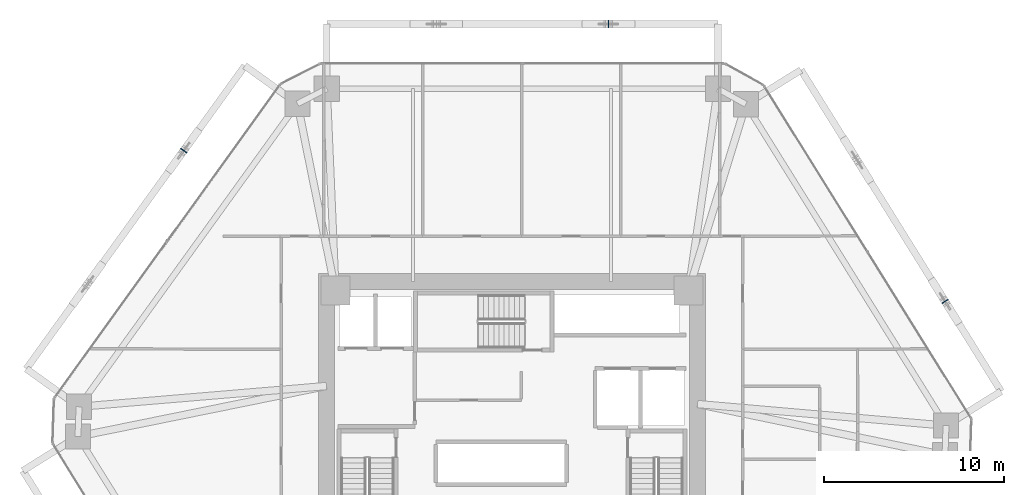
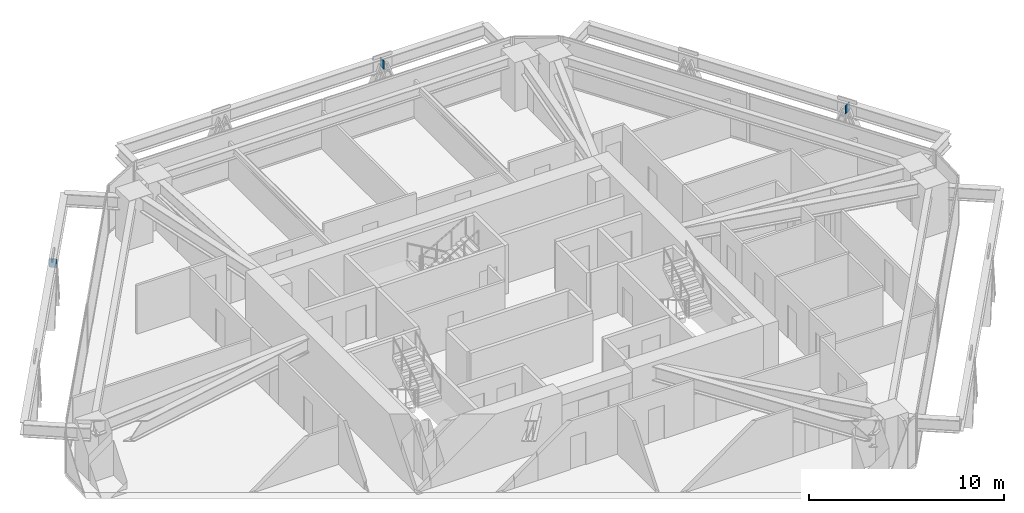
# One storey, part 12 of 17: 3 plates.
"""IFC4 building model written with IfcOpenShell, lengths in metres."""

import ifcopenshell
import ifcopenshell.guid

model = None  # the IFC model being written
_history = None  # IfcOwnerHistory: only IFC2X3 demands one
_inside = {}  # id of a spatial element -> (the spatial element, [elements in it])
_under = {}  # id of a project, library or spatial element -> (it, [spatial elements below it])
_declared = {}  # id of a project -> (the project, [libraries it declares])
_typed = {}  # id of a type object -> (the type object, [elements of that type])
_made_of = {}  # id of a material, layer set ... -> (it, [elements and type objects made of it])


def new_model(schema):
    """Start an empty IFC model of exactly this schema.

    Asked for "IFC4X3", IfcOpenShell would pick the latest addendum, in which some entities
    have other attributes; the version numbers below select the first issue.
    IFC2X3 requires an IfcOwnerHistory on every rooted entity: one is made here for all.
    """
    global model, _history
    if schema == "IFC4X3":
        model = ifcopenshell.file(schema_version=(4, 3, 0, 0))
    else:
        model = ifcopenshell.file(schema=schema)
    _inside.clear()
    _under.clear()
    _declared.clear()
    _typed.clear()
    _made_of.clear()
    _history = None
    if model.schema == "IFC2X3":
        org = make("IfcOrganization", Name="unknown")
        user = make(
            "IfcPersonAndOrganization",
            ThePerson=make("IfcPerson", FamilyName="unknown"),
            TheOrganization=org,
        )
        app = make(
            "IfcApplication",
            ApplicationDeveloper=org,
            Version="unknown",
            ApplicationFullName="unknown",
            ApplicationIdentifier="unknown",
        )
        _history = make(
            "IfcOwnerHistory",
            OwningUser=user,
            OwningApplication=app,
            ChangeAction="ADDED",
            CreationDate=0,
        )
    return model


def make(cls, **values):
    """One entity of the class cls with the attributes given. An attribute that is None is left unset."""
    return model.create_entity(
        cls, **{name: value for name, value in values.items() if value is not None}
    )


def rooted(cls, **values):
    """An entity with a GlobalId (a new one), such as an element, a storey or a relation."""
    return make(cls, GlobalId=ifcopenshell.guid.new(), OwnerHistory=_history, **values)


def si_unit(unit_type, name, prefix=None):
    """IfcSIUnit, for example si_unit("LENGTHUNIT", "METRE", prefix="MILLI")."""
    return make("IfcSIUnit", UnitType=unit_type, Prefix=prefix, Name=name)


def assignment(units):
    """IfcUnitAssignment: the units of a project."""
    return None if units is None else make("IfcUnitAssignment", Units=units)


def point(xyz):
    """IfcCartesianPoint."""
    return None if xyz is None else make("IfcCartesianPoint", Coordinates=xyz)


def direction(xyz):
    """IfcDirection."""
    return None if xyz is None else make("IfcDirection", DirectionRatios=xyz)


def frame(location, z_axis=None, x_axis=None):
    """IfcAxis2Placement3D, a coordinate frame: its origin and axes. An axis left out is left unset."""
    return make(
        "IfcAxis2Placement3D",
        Location=point(location),
        Axis=direction(z_axis),
        RefDirection=direction(x_axis),
    )


def frame_2d(location, x_axis=None):
    """IfcAxis2Placement2D, a coordinate frame in the plane: its origin and x axis."""
    return make(
        "IfcAxis2Placement2D", Location=point(location), RefDirection=direction(x_axis)
    )


def origin():
    """The frame at (0, 0, 0) with its axes left unset."""
    return frame((0.0, 0.0, 0.0))


def origin_2d():
    """The frame at (0, 0) in the plane with its x axis left unset."""
    return frame_2d((0.0, 0.0))


def place(relative_to, where):
    """IfcLocalPlacement: puts the frame where relative to a parent placement (None: the world)."""
    return make(
        "IfcLocalPlacement", PlacementRelTo=relative_to, RelativePlacement=where
    )


def context(
    kind, dimensions, precision=None, world=None, true_north=None, identifier=None
):
    """IfcGeometricRepresentationContext, for example the 3D "Model" context."""
    return make(
        "IfcGeometricRepresentationContext",
        ContextIdentifier=identifier,
        ContextType=kind,
        CoordinateSpaceDimension=dimensions,
        Precision=precision,
        WorldCoordinateSystem=world,
        TrueNorth=true_north,
    )


def subcontext(parent, identifier, kind, view, scale=None):
    """IfcGeometricRepresentationSubContext, for example "Body" below "Model"."""
    return make(
        "IfcGeometricRepresentationSubContext",
        ContextIdentifier=identifier,
        ContextType=kind,
        ParentContext=parent,
        TargetScale=scale,
        TargetView=view,
    )


def project(units=None, contexts=None):
    """IfcProject with its units and contexts."""
    return rooted(
        "IfcProject",
        Name="project",
        RepresentationContexts=contexts,
        UnitsInContext=assignment(units),
    )


def spatial(cls, under=None, at=None, **own):
    """A site, building, storey or space (cls), placed at a placement, below another one or the project."""
    s = rooted(cls, ObjectPlacement=at, **own)
    if under is not None:
        _under.setdefault(under.id(), (under, []))[1].append(s)
    return s


def profile(cls, at=None, kind="AREA", **sizes):
    """A parametric profile (cls). Its sizes go by their IFC names, for example OverallWidth=200.0."""
    return make(cls, ProfileType=kind, Position=at, **sizes)


def rectangle(**sizes):
    """IfcRectangleProfileDef."""
    return profile("IfcRectangleProfileDef", **sizes)


def extrude(swept, where, along, depth):
    """IfcExtrudedAreaSolid: the profile swept, set in the frame where, extruded along a direction by depth."""
    return make(
        "IfcExtrudedAreaSolid",
        SweptArea=swept,
        Position=where,
        ExtrudedDirection=direction(along),
        Depth=depth,
    )


def shape(context_of_items, identifier, shape_type, items):
    """IfcShapeRepresentation: the items that make up one representation, for example the "Body"."""
    return make(
        "IfcShapeRepresentation",
        ContextOfItems=context_of_items,
        RepresentationIdentifier=identifier,
        RepresentationType=shape_type,
        Items=items,
    )


def source(mapping_origin, context_of_items, identifier, shape_type, items):
    """IfcRepresentationMap: a shape defined once, which mapped items show again and again."""
    return make(
        "IfcRepresentationMap",
        MappingOrigin=mapping_origin,
        MappedRepresentation=shape(context_of_items, identifier, shape_type, items),
    )


def transform(
    local_origin,
    x_axis=None,
    y_axis=None,
    z_axis=None,
    scale=None,
    scale2=None,
    scale3=None,
    uniform=True,
):
    """IfcCartesianTransformationOperator3D, or its non-uniform kind. x_axis, y_axis, z_axis: its Axis1, 2, 3."""
    if uniform:
        return make(
            "IfcCartesianTransformationOperator3D",
            Axis1=direction(x_axis),
            Axis2=direction(y_axis),
            LocalOrigin=point(local_origin),
            Scale=scale,
            Axis3=direction(z_axis),
        )
    return make(
        "IfcCartesianTransformationOperator3DnonUniform",
        Axis1=direction(x_axis),
        Axis2=direction(y_axis),
        LocalOrigin=point(local_origin),
        Scale=scale,
        Axis3=direction(z_axis),
        Scale2=scale2,
        Scale3=scale3,
    )


def mapped(mapping_source, mapping_target):
    """IfcMappedItem: shows the shape of a source again, moved by a transform."""
    return make(
        "IfcMappedItem", MappingSource=mapping_source, MappingTarget=mapping_target
    )


def material(Name=None, Category=None):
    """IfcMaterial."""
    return make("IfcMaterial", Name=Name, Category=Category)


def layer(
    of_material, thickness, ventilated=None, Name=None, Category=None, Priority=None
):
    """IfcMaterialLayer: one layer of a wall or slab, of a material (None: an air gap)."""
    return make(
        "IfcMaterialLayer",
        Material=of_material,
        LayerThickness=thickness,
        IsVentilated=ventilated,
        Name=Name,
        Category=Category,
        Priority=Priority,
    )


def layer_set(layers, Name=None):
    """IfcMaterialLayerSet."""
    return make("IfcMaterialLayerSet", MaterialLayers=layers, LayerSetName=Name)


def made_of(thing, what):
    """Note that an element or type object is made of a material, layer set ...; save() writes the relation."""
    if what is not None:
        _made_of.setdefault(what.id(), (what, []))[1].append(thing)
    return thing


def type_object(cls, material=None, **own):
    """A type object (cls), such as IfcWallType, which elements share."""
    return made_of(rooted(cls, **own), material)


def type_shapes(of_type, sources):
    """Give a type object the sources (RepresentationMaps) that its elements show as mapped items."""
    of_type.RepresentationMaps = sources


def element(
    cls,
    number,
    at=None,
    inside=None,
    cuts=None,
    type_object=None,
    material=None,
    context=None,
    identifier="Body",
    shape_type=None,
    held_by="IfcProductDefinitionShape",
    body=None,
    shapes=None,
    **own,
):
    """One element of the class cls, such as IfcWall. Its Tag is "e" and its number.

    at: its placement. inside: the storey or other place that contains it. cuts: it is an
    opening in that element (IfcRelVoidsElement). A single representation is given by context,
    identifier, shape_type and body (its items); several are given by shapes. held_by: the class
    of the entity that holds the representations. save() writes the other relations.
    """
    e = rooted(cls, Tag="e%d" % number, ObjectPlacement=at, **own)
    if body is not None:
        shapes = [shape(context, identifier, shape_type, body)]
    if shapes is not None:
        e.Representation = make(held_by, Representations=shapes)
    if inside is not None:
        _inside.setdefault(inside.id(), (inside, []))[1].append(e)
    if cuts is not None:
        rooted(
            "IfcRelVoidsElement", RelatingBuildingElement=cuts, RelatedOpeningElement=e
        )
    if type_object is not None:
        _typed.setdefault(type_object.id(), (type_object, []))[1].append(e)
    return made_of(e, material)


def aggregate(whole, parts):
    """IfcRelAggregates: a whole, such as a stair, and the parts it consists of."""
    return rooted("IfcRelAggregates", RelatingObject=whole, RelatedObjects=parts)


def save(model, path):
    """Write the relations noted so far, then the file.

    IfcRelAggregates (storeys below a building ...), IfcRelContainedInSpatialStructure (elements
    in a storey), IfcRelDefinesByType, IfcRelAssociatesMaterial and IfcRelDeclares: one each for
    every whole, place, type object, material and project.
    """
    for whole, parts in _under.values():
        aggregate(whole, parts)
    for where, things in _inside.values():
        rooted(
            "IfcRelContainedInSpatialStructure",
            RelatedElements=things,
            RelatingStructure=where,
        )
    for kind, things in _typed.values():
        rooted("IfcRelDefinesByType", RelatedObjects=things, RelatingType=kind)
    for what, things in _made_of.values():
        rooted("IfcRelAssociatesMaterial", RelatedObjects=things, RelatingMaterial=what)
    for by, libraries in _declared.values():
        rooted("IfcRelDeclares", RelatingContext=by, RelatedDefinitions=libraries)
    model.write(path)


model = new_model("IFC4")

# Units and contexts
model_context = context("Model", 3, precision=1e-05, world=origin(), true_north=direction((0.0, 1.0)))
body_context = subcontext(model_context, "Body", "Model", "MODEL_VIEW")
ifc_project = project(units=[si_unit("LENGTHUNIT", "METRE"), si_unit("AREAUNIT", "SQUARE_METRE"), si_unit("VOLUMEUNIT", "CUBIC_METRE"), si_unit("PLANEANGLEUNIT", "RADIAN"), si_unit("MASSUNIT", "GRAM", prefix="KILO")], contexts=[model_context])

# Site, building, storey
site_placement = place(None, origin())
site = spatial("IfcSite", under=ifc_project, at=site_placement, CompositionType="ELEMENT")
building_placement = place(site_placement, origin())
building = spatial("IfcBuilding", under=site, at=building_placement, Name="Durnholm Broadcast Tower", CompositionType="ELEMENT")
storey_placement = place(building_placement, frame((0.0, 0.0, 72.0)))
storey = spatial("IfcBuildingStorey", under=building, at=storey_placement, Name="L18", CompositionType="ELEMENT", Elevation=72.0)

# Plates
ifc_material = material(Name="Steel ASTM A572 Grade 50", Category="steel")
ifc_layer = layer(ifc_material, 0.044921875)
ifc_layer_set = layer_set([ifc_layer], Name="Steel ASTM A572 Grade 50")
plate_type = type_object("IfcPlateType", Name="PLT-KN-STIF", PredefinedType="SHEET", material=ifc_layer_set)
shared_shape = source(origin(), body_context, "Body", "SweptSolid", [
    extrude(rectangle(XDim=0.044921875, YDim=0.419921875, at=origin_2d()), origin(), (0.0, 0.0, 1.0), 0.52001953125),
])
type_shapes(plate_type, [shared_shape])
for number, where, z_axis, x_axis, name in (
    (1, (24.036376953125, 7.197509765625, 2.048583984375), (0.0, 0.0, 1.0), (-0.528586500185, 0.848879444811, 0.0), "L18 welded diagrid node stiffener plate F3"),
    (2, (5.351318359375, 22.60009765625, 2.048583984375), (0.0, 0.0, 1.0), (-1.0, 0.0, 0.0), "L18 welded diagrid node stiffener plate F4"),
    (3, (-18.223388671875, 15.56396484375, 2.048583984375), (0.0, 0.0, 1.0), (-0.584816108738, -0.81116590101, 0.0), "L18 welded diagrid node stiffener plate F5"),
):
    element("IfcPlate", number, at=place(storey_placement, frame(where, z_axis=z_axis, x_axis=x_axis)), inside=storey, type_object=plate_type, Name=name, PredefinedType="SHEET", context=body_context, shape_type="MappedRepresentation", body=[
        mapped(shared_shape, transform((0.0, 0.0, 0.0), x_axis=(1.0, 0.0, 0.0), y_axis=(0.0, 1.0, 0.0), z_axis=(0.0, 0.0, 1.0), scale=1.0)),
    ])

save(model, "model.ifc")
